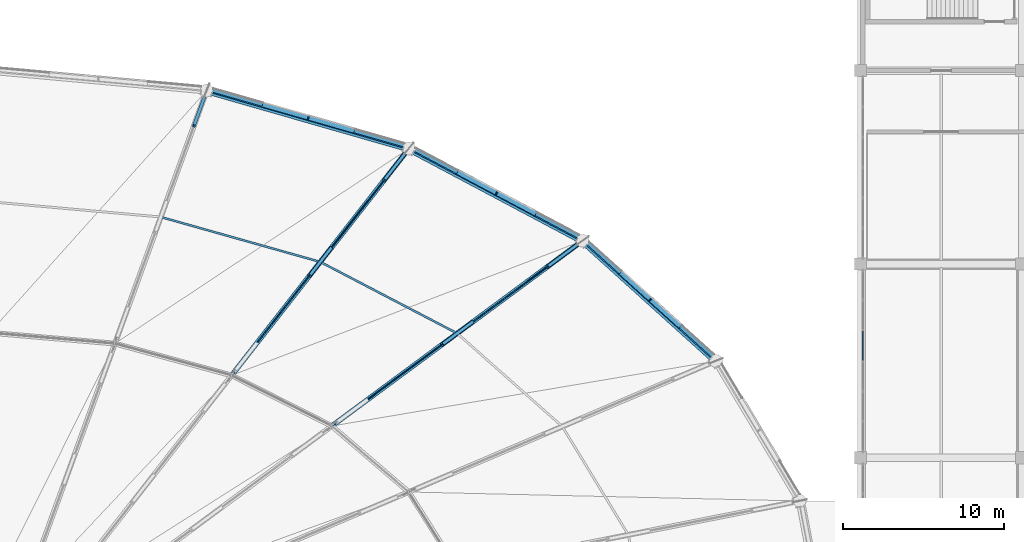
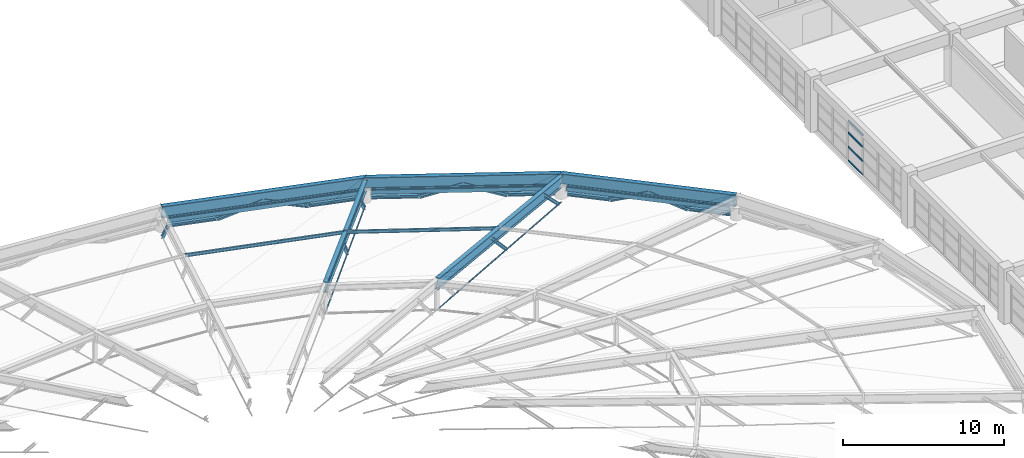
# One storey, part 32 of 83: 20 beams, 13 members, 1 element without a shape of its own.
"""IFC4 building model written with IfcOpenShell, lengths in metres."""

import ifcopenshell
import ifcopenshell.guid

model = None  # the IFC model being written
_history = None  # IfcOwnerHistory: only IFC2X3 demands one
_inside = {}  # id of a spatial element -> (the spatial element, [elements in it])
_under = {}  # id of a project, library or spatial element -> (it, [spatial elements below it])
_declared = {}  # id of a project -> (the project, [libraries it declares])
_typed = {}  # id of a type object -> (the type object, [elements of that type])
_made_of = {}  # id of a material, layer set ... -> (it, [elements and type objects made of it])


def new_model(schema):
    """Start an empty IFC model of exactly this schema.

    Asked for "IFC4X3", IfcOpenShell would pick the latest addendum, in which some entities
    have other attributes; the version numbers below select the first issue.
    IFC2X3 requires an IfcOwnerHistory on every rooted entity: one is made here for all.
    """
    global model, _history
    if schema == "IFC4X3":
        model = ifcopenshell.file(schema_version=(4, 3, 0, 0))
    else:
        model = ifcopenshell.file(schema=schema)
    _inside.clear()
    _under.clear()
    _declared.clear()
    _typed.clear()
    _made_of.clear()
    _history = None
    if model.schema == "IFC2X3":
        org = make("IfcOrganization", Name="unknown")
        user = make(
            "IfcPersonAndOrganization",
            ThePerson=make("IfcPerson", FamilyName="unknown"),
            TheOrganization=org,
        )
        app = make(
            "IfcApplication",
            ApplicationDeveloper=org,
            Version="unknown",
            ApplicationFullName="unknown",
            ApplicationIdentifier="unknown",
        )
        _history = make(
            "IfcOwnerHistory",
            OwningUser=user,
            OwningApplication=app,
            ChangeAction="ADDED",
            CreationDate=0,
        )
    return model


def make(cls, **values):
    """One entity of the class cls with the attributes given. An attribute that is None is left unset."""
    return model.create_entity(
        cls, **{name: value for name, value in values.items() if value is not None}
    )


def rooted(cls, **values):
    """An entity with a GlobalId (a new one), such as an element, a storey or a relation."""
    return make(cls, GlobalId=ifcopenshell.guid.new(), OwnerHistory=_history, **values)


def si_unit(unit_type, name, prefix=None):
    """IfcSIUnit, for example si_unit("LENGTHUNIT", "METRE", prefix="MILLI")."""
    return make("IfcSIUnit", UnitType=unit_type, Prefix=prefix, Name=name)


def assignment(units):
    """IfcUnitAssignment: the units of a project."""
    return None if units is None else make("IfcUnitAssignment", Units=units)


def point(xyz):
    """IfcCartesianPoint."""
    return None if xyz is None else make("IfcCartesianPoint", Coordinates=xyz)


def direction(xyz):
    """IfcDirection."""
    return None if xyz is None else make("IfcDirection", DirectionRatios=xyz)


def frame(location, z_axis=None, x_axis=None):
    """IfcAxis2Placement3D, a coordinate frame: its origin and axes. An axis left out is left unset."""
    return make(
        "IfcAxis2Placement3D",
        Location=point(location),
        Axis=direction(z_axis),
        RefDirection=direction(x_axis),
    )


def frame_2d(location, x_axis=None):
    """IfcAxis2Placement2D, a coordinate frame in the plane: its origin and x axis."""
    return make(
        "IfcAxis2Placement2D", Location=point(location), RefDirection=direction(x_axis)
    )


def origin():
    """The frame at (0, 0, 0) with its axes left unset."""
    return frame((0.0, 0.0, 0.0))


def origin_2d():
    """The frame at (0, 0) in the plane with its x axis left unset."""
    return frame_2d((0.0, 0.0))


def place(relative_to, where):
    """IfcLocalPlacement: puts the frame where relative to a parent placement (None: the world)."""
    return make(
        "IfcLocalPlacement", PlacementRelTo=relative_to, RelativePlacement=where
    )


def context(
    kind, dimensions, precision=None, world=None, true_north=None, identifier=None
):
    """IfcGeometricRepresentationContext, for example the 3D "Model" context."""
    return make(
        "IfcGeometricRepresentationContext",
        ContextIdentifier=identifier,
        ContextType=kind,
        CoordinateSpaceDimension=dimensions,
        Precision=precision,
        WorldCoordinateSystem=world,
        TrueNorth=true_north,
    )


def subcontext(parent, identifier, kind, view, scale=None):
    """IfcGeometricRepresentationSubContext, for example "Body" below "Model"."""
    return make(
        "IfcGeometricRepresentationSubContext",
        ContextIdentifier=identifier,
        ContextType=kind,
        ParentContext=parent,
        TargetScale=scale,
        TargetView=view,
    )


def project(units=None, contexts=None):
    """IfcProject with its units and contexts."""
    return rooted(
        "IfcProject",
        Name="project",
        RepresentationContexts=contexts,
        UnitsInContext=assignment(units),
    )


def spatial(cls, under=None, at=None, **own):
    """A site, building, storey or space (cls), placed at a placement, below another one or the project."""
    s = rooted(cls, ObjectPlacement=at, **own)
    if under is not None:
        _under.setdefault(under.id(), (under, []))[1].append(s)
    return s


def profile(cls, at=None, kind="AREA", **sizes):
    """A parametric profile (cls). Its sizes go by their IFC names, for example OverallWidth=200.0."""
    return make(cls, ProfileType=kind, Position=at, **sizes)


def rectangle(**sizes):
    """IfcRectangleProfileDef."""
    return profile("IfcRectangleProfileDef", **sizes)


def hollow_rectangle(**sizes):
    """IfcRectangleHollowProfileDef."""
    return profile("IfcRectangleHollowProfileDef", **sizes)


def circle(**sizes):
    """IfcCircleProfileDef."""
    return profile("IfcCircleProfileDef", **sizes)


def i_section(**sizes):
    """IfcIShapeProfileDef."""
    return profile("IfcIShapeProfileDef", **sizes)


def extrude(swept, where, along, depth):
    """IfcExtrudedAreaSolid: the profile swept, set in the frame where, extruded along a direction by depth."""
    return make(
        "IfcExtrudedAreaSolid",
        SweptArea=swept,
        Position=where,
        ExtrudedDirection=direction(along),
        Depth=depth,
    )


def shape(context_of_items, identifier, shape_type, items):
    """IfcShapeRepresentation: the items that make up one representation, for example the "Body"."""
    return make(
        "IfcShapeRepresentation",
        ContextOfItems=context_of_items,
        RepresentationIdentifier=identifier,
        RepresentationType=shape_type,
        Items=items,
    )


def material(Name=None, Category=None):
    """IfcMaterial."""
    return make("IfcMaterial", Name=Name, Category=Category)


def layer(
    of_material, thickness, ventilated=None, Name=None, Category=None, Priority=None
):
    """IfcMaterialLayer: one layer of a wall or slab, of a material (None: an air gap)."""
    return make(
        "IfcMaterialLayer",
        Material=of_material,
        LayerThickness=thickness,
        IsVentilated=ventilated,
        Name=Name,
        Category=Category,
        Priority=Priority,
    )


def layer_set(layers, Name=None):
    """IfcMaterialLayerSet."""
    return make("IfcMaterialLayerSet", MaterialLayers=layers, LayerSetName=Name)


def material_profile(
    of_material, cross_section, Name=None, Category=None, Priority=None
):
    """IfcMaterialProfile: a cross section and its material."""
    return make(
        "IfcMaterialProfile",
        Name=Name,
        Material=of_material,
        Profile=cross_section,
        Priority=Priority,
        Category=Category,
    )


def profile_set(profiles, Name=None, composite=None):
    """IfcMaterialProfileSet."""
    return make(
        "IfcMaterialProfileSet",
        Name=Name,
        MaterialProfiles=profiles,
        CompositeProfile=composite,
    )


def made_of(thing, what):
    """Note that an element or type object is made of a material, layer set ...; save() writes the relation."""
    if what is not None:
        _made_of.setdefault(what.id(), (what, []))[1].append(thing)
    return thing


def type_object(cls, material=None, **own):
    """A type object (cls), such as IfcWallType, which elements share."""
    return made_of(rooted(cls, **own), material)


def element(
    cls,
    number,
    at=None,
    inside=None,
    cuts=None,
    type_object=None,
    material=None,
    context=None,
    identifier="Body",
    shape_type=None,
    held_by="IfcProductDefinitionShape",
    body=None,
    shapes=None,
    **own,
):
    """One element of the class cls, such as IfcWall. Its Tag is "e" and its number.

    at: its placement. inside: the storey or other place that contains it. cuts: it is an
    opening in that element (IfcRelVoidsElement). A single representation is given by context,
    identifier, shape_type and body (its items); several are given by shapes. held_by: the class
    of the entity that holds the representations. save() writes the other relations.
    """
    e = rooted(cls, Tag="e%d" % number, ObjectPlacement=at, **own)
    if body is not None:
        shapes = [shape(context, identifier, shape_type, body)]
    if shapes is not None:
        e.Representation = make(held_by, Representations=shapes)
    if inside is not None:
        _inside.setdefault(inside.id(), (inside, []))[1].append(e)
    if cuts is not None:
        rooted(
            "IfcRelVoidsElement", RelatingBuildingElement=cuts, RelatedOpeningElement=e
        )
    if type_object is not None:
        _typed.setdefault(type_object.id(), (type_object, []))[1].append(e)
    return made_of(e, material)


def aggregate(whole, parts):
    """IfcRelAggregates: a whole, such as a stair, and the parts it consists of."""
    return rooted("IfcRelAggregates", RelatingObject=whole, RelatedObjects=parts)


def save(model, path):
    """Write the relations noted so far, then the file.

    IfcRelAggregates (storeys below a building ...), IfcRelContainedInSpatialStructure (elements
    in a storey), IfcRelDefinesByType, IfcRelAssociatesMaterial and IfcRelDeclares: one each for
    every whole, place, type object, material and project.
    """
    for whole, parts in _under.values():
        aggregate(whole, parts)
    for where, things in _inside.values():
        rooted(
            "IfcRelContainedInSpatialStructure",
            RelatedElements=things,
            RelatingStructure=where,
        )
    for kind, things in _typed.values():
        rooted("IfcRelDefinesByType", RelatedObjects=things, RelatingType=kind)
    for what, things in _made_of.values():
        rooted("IfcRelAssociatesMaterial", RelatedObjects=things, RelatingMaterial=what)
    for by, libraries in _declared.values():
        rooted("IfcRelDeclares", RelatingContext=by, RelatedDefinitions=libraries)
    model.write(path)


model = new_model("IFC4")

# Units and contexts
model_context = context("Model", 3, precision=1e-05, world=origin(), true_north=direction((0.0, 1.0)))
body_context = subcontext(model_context, "Body", "Model", "MODEL_VIEW")
ifc_project = project(units=[si_unit("LENGTHUNIT", "METRE"), si_unit("AREAUNIT", "SQUARE_METRE"), si_unit("VOLUMEUNIT", "CUBIC_METRE"), si_unit("PLANEANGLEUNIT", "RADIAN"), si_unit("MASSUNIT", "GRAM", prefix="KILO")], contexts=[model_context])

# Site, building, storey
site_placement = place(None, origin())
site = spatial("IfcSite", under=ifc_project, at=site_placement, CompositionType="ELEMENT")
building_placement = place(site_placement, origin())
building = spatial("IfcBuilding", under=site, at=building_placement, Name="Kivolera Central Railway Station", CompositionType="ELEMENT")
storey_placement = place(building_placement, frame((0.0, 0.0, 14.39990234375)))
storey = spatial("IfcBuildingStorey", under=building, at=storey_placement, Name="L03", CompositionType="ELEMENT", Elevation=14.39990234375)

# Beams
ifc_material_1 = material(Name="Steel S355", Category="steel")
ifc_material_profile_1 = material_profile(ifc_material_1, hollow_rectangle(XDim=0.14990234375, YDim=0.300048828125, WallThickness=0.012451171875, at=origin_2d()), Name="RHS 300x150x12.5")
ifc_profile_set_1 = profile_set([ifc_material_profile_1], Name="Steel S355")
beam_type_1 = type_object("IfcBeamType", Name="BM-ARCH-HOOD", PredefinedType="SPANDREL", material=ifc_profile_set_1)
beam_1_placement = place(storey_placement, frame((108.672119140625, 108.1298828125, 0.735107421875), z_axis=(-0.742399938854, 0.669956961894, 0.0), x_axis=(-0.669956961894, -0.742399938854, 0.0)))
element("IfcBeam", 1, at=beam_1_placement, inside=storey, type_object=beam_type_1, Name="Lantern Spandrel Hood Beam 03", PredefinedType="SPANDREL", context=body_context, shape_type="SweptSolid", body=[
    extrude(hollow_rectangle(XDim=0.14990234375, YDim=0.300048828125, WallThickness=0.012451171875, at=origin_2d()), origin(), (0.0, 0.0, 1.0), 10.42041015625),
])
beam_2_placement = place(storey_placement, frame((100.387939453125, 115.493896484375, 0.735107421875), z_axis=(-0.883122599964, 0.46914227419, 0.0), x_axis=(-0.46914227419, -0.883122599964, 0.0)))
element("IfcBeam", 2, at=beam_2_placement, inside=storey, type_object=beam_type_1, Name="Lantern Spandrel Hood Beam 04", PredefinedType="SPANDREL", context=body_context, shape_type="SweptSolid", body=[
    extrude(hollow_rectangle(XDim=0.14990234375, YDim=0.300048828125, WallThickness=0.012451171875, at=origin_2d()), origin(), (0.0, 0.0, 1.0), 11.485107421875),
])
beam_3_placement = place(storey_placement, frame((89.618896484375, 121.135009765625, 0.735107421875), z_axis=(-0.961253150651, 0.275667155033, 0.0), x_axis=(-0.275667155033, -0.961253150651, 0.0)))
element("IfcBeam", 3, at=beam_3_placement, inside=storey, type_object=beam_type_1, Name="Lantern Spandrel Hood Beam 05", PredefinedType="SPANDREL", context=body_context, shape_type="SweptSolid", body=[
    extrude(hollow_rectangle(XDim=0.14990234375, YDim=0.300048828125, WallThickness=0.012451171875, at=origin_2d()), origin(), (0.0, 0.0, 1.0), 12.3369140625),
])
ifc_material_profile_2 = material_profile(ifc_material_1, i_section(OverallWidth=0.300048828125, OverallDepth=0.699951171875, WebThickness=0.01708984375, FlangeThickness=0.031982421875, FilletRadius=0.027099609375, at=origin_2d()), Name="HEB 700")
ifc_profile_set_2 = profile_set([ifc_material_profile_2], Name="Steel S355")
beam_type_2 = type_object("IfcBeamType", Name="BM-DRB-HEB700", PredefinedType="BEAM", material=ifc_profile_set_2)
beam_4_placement = place(storey_placement, frame((90.0, 121.177001953125, 1.18017578125), z_axis=(-0.596376430402, -0.762982212751, 0.249385838184), x_axis=(0.787875774428, -0.61583420177, 0.0)))
element("IfcBeam", 4, at=beam_4_placement, inside=storey, type_object=beam_type_2, Name="Oval Dome Radial Arch Rib Outer Segment DRB1-05", PredefinedType="BEAM", context=body_context, shape_type="SweptSolid", body=[
    extrude(i_section(OverallWidth=0.300048828125, OverallDepth=0.699951171875, WebThickness=0.01708984375, FlangeThickness=0.031982421875, FilletRadius=0.027099609375, at=origin_2d()), origin(), (0.0, 0.0, 1.0), 18.44482421875),
])
ifc_material_profile_3 = material_profile(ifc_material_1, i_section(OverallWidth=0.300048828125, OverallDepth=0.800048828125, WebThickness=0.017578125, FlangeThickness=0.032958984375, FilletRadius=0.030029296875, at=origin_2d()), Name="HEB 800")
ifc_profile_set_3 = profile_set([ifc_material_profile_3], Name="Steel S355")
beam_type_3 = type_object("IfcBeamType", Name="BM-DRB-HEB800", PredefinedType="BEAM", material=ifc_profile_set_3)
beam_5_placement = place(storey_placement, frame((100.77001953125, 115.4560546875, 1.18017578125), z_axis=(-0.782541033898, -0.578008518918, 0.231377791338), x_axis=(0.594130867833, -0.804368393143, 0.0)))
element("IfcBeam", 5, at=beam_5_placement, inside=storey, type_object=beam_type_3, Name="Oval Dome Radial Arch Rib Outer Segment DRB1-04", PredefinedType="BEAM", context=body_context, shape_type="SweptSolid", body=[
    extrude(i_section(OverallWidth=0.300048828125, OverallDepth=0.800048828125, WebThickness=0.017578125, FlangeThickness=0.032958984375, FilletRadius=0.030029296875, at=origin_2d()), origin(), (0.0, 0.0, 1.0), 19.88037109375),
])
ifc_material_profile_4 = material_profile(ifc_material_1, i_section(OverallWidth=0.300048828125, OverallDepth=0.300048828125, WebThickness=0.010986328125, FlangeThickness=0.01904296875, FilletRadius=0.027099609375, at=origin_2d()), Name="HEB 300")
ifc_profile_set_4 = profile_set([ifc_material_profile_4], Name="Steel S355")
beam_type_4 = type_object("IfcBeamType", Name="BM-LANT-ARCH", PredefinedType="SPANDREL", material=ifc_profile_set_4)
for number, where, z_axis, x_axis, name in (
    (6, (106.839111328125, 110.14208984375, 0.16015625), (-0.698764882595, 0.630146850874, 0.338589109668), (-0.669703326013, -0.742628746499, 0.0), "Oval Lantern Structural Arch Rib 03.3"),
    (7, (104.98193359375, 111.81689453125, 1.06005859375), (-0.698677422423, 0.630242676209, -0.338591241001), (-0.669805712586, -0.742536401389, 0.0), "Oval Lantern Structural Arch Rib 03.4"),
):
    element("IfcBeam", number, at=place(storey_placement, frame(where, z_axis=z_axis, x_axis=x_axis)), inside=storey, type_object=beam_type_4, Name=name, PredefinedType="SPANDREL", context=body_context, shape_type="SweptSolid", body=[
        extrude(i_section(OverallWidth=0.300048828125, OverallDepth=0.300048828125, WebThickness=0.010986328125, FlangeThickness=0.01904296875, FilletRadius=0.027099609375, at=origin_2d()), origin(), (0.0, 0.0, 1.0), 2.65771484375),
    ])
beam_6_placement = place(storey_placement, frame((97.8759765625, 117.12890625, 0.16015625), z_axis=(-0.839588818924, 0.44588951011, 0.310279164483), x_axis=(-0.469038686522, -0.883177621176, 0.0)))
element("IfcBeam", 8, at=beam_6_placement, inside=storey, type_object=beam_type_4, Name="Oval Lantern Structural Arch Rib 04.3", PredefinedType="SPANDREL", context=body_context, shape_type="SweptSolid", body=[
    extrude(i_section(OverallWidth=0.300048828125, OverallDepth=0.300048828125, WebThickness=0.010986328125, FlangeThickness=0.01904296875, FilletRadius=0.027099609375, at=origin_2d()), origin(), (0.0, 0.0, 1.0), 2.900390625),
])
beam_7_placement = place(storey_placement, frame((95.44091796875, 118.422119140625, 1.06005859375), z_axis=(-0.839369949803, 0.44624944668, -0.310353860465), x_axis=(-0.469429350258, -0.882970036364, 0.0)))
element("IfcBeam", 9, at=beam_7_placement, inside=storey, type_object=beam_type_4, Name="Oval Lantern Structural Arch Rib 04.4", PredefinedType="SPANDREL", context=body_context, shape_type="SweptSolid", body=[
    extrude(i_section(OverallWidth=0.300048828125, OverallDepth=0.300048828125, WebThickness=0.010986328125, FlangeThickness=0.01904296875, FilletRadius=0.027099609375, at=origin_2d()), origin(), (0.0, 0.0, 1.0), 2.899658203125),
])
beam_8_placement = place(storey_placement, frame((86.60888671875, 122.27392578125, 0.16015625), z_axis=(-0.919706547271, 0.263753880718, 0.290815675838), x_axis=(-0.275668522884, -0.961252758379, 0.0)))
element("IfcBeam", 10, at=beam_8_placement, inside=storey, type_object=beam_type_4, Name="Oval Lantern Structural Arch Rib 05.3", PredefinedType="SPANDREL", context=body_context, shape_type="SweptSolid", body=[
    extrude(i_section(OverallWidth=0.300048828125, OverallDepth=0.300048828125, WebThickness=0.010986328125, FlangeThickness=0.01904296875, FilletRadius=0.027099609375, at=origin_2d()), origin(), (0.0, 0.0, 1.0), 3.094482421875),
])
beam_9_placement = place(storey_placement, frame((83.762939453125, 123.090087890625, 1.06005859375), z_axis=(-0.919725683626, 0.263680469647, -0.290821726846), x_axis=(-0.275592325369, -0.96127460707, 0.0)))
element("IfcBeam", 11, at=beam_9_placement, inside=storey, type_object=beam_type_4, Name="Oval Lantern Structural Arch Rib 05.4", PredefinedType="SPANDREL", context=body_context, shape_type="SweptSolid", body=[
    extrude(i_section(OverallWidth=0.300048828125, OverallDepth=0.300048828125, WebThickness=0.010986328125, FlangeThickness=0.01904296875, FilletRadius=0.027099609375, at=origin_2d()), origin(), (0.0, 0.0, 1.0), 3.09423828125),
])
ifc_material_profile_5 = material_profile(ifc_material_1, i_section(OverallWidth=0.239990234375, OverallDepth=0.22998046875, WebThickness=0.007568359375, FlangeThickness=0.011962890625, FilletRadius=0.02099609375, at=origin_2d()), Name="HEA 240")
ifc_profile_set_5 = profile_set([ifc_material_profile_5], Name="Steel S355")
beam_type_5 = type_object("IfcBeamType", Name="BM-LANT-HTIE", PredefinedType="SPANDREL", material=ifc_profile_set_5)
for number, where, z_axis, x_axis, name in (
    (12, (108.85009765625, 108.326904296875, 0.16015625), (-0.742320957903, 0.670044472746, 0.0), (-0.670044472746, -0.742320957903, 0.0), "Lantern Arch Spandrel Haunch Tie 03L"),
    (13, (103.125, 113.491943359375, 0.16015625), (-0.742365783712, 0.669994808318, 0.0), (-0.669994808318, -0.742365783712, 0.0), "Lantern Arch Spandrel Haunch Tie 03R"),
):
    element("IfcBeam", number, at=place(storey_placement, frame(where, z_axis=z_axis, x_axis=x_axis)), inside=storey, type_object=beam_type_5, Name=name, PredefinedType="SPANDREL", context=body_context, shape_type="SweptSolid", body=[
        extrude(i_section(OverallWidth=0.239990234375, OverallDepth=0.22998046875, WebThickness=0.007568359375, FlangeThickness=0.011962890625, FilletRadius=0.02099609375, at=origin_2d()), origin(), (0.0, 0.0, 1.0), 2.708984375),
    ])
for number, where, z_axis, x_axis, name in (
    (14, (100.512939453125, 115.72900390625, 0.16015625), (-0.883252264421, 0.468898109822, 0.0), (-0.468898109822, -0.883252264421, 0.0), "Lantern Arch Spandrel Haunch Tie 04L"),
    (15, (93.007080078125, 119.716064453125, 0.16015625), (-0.883252264421, 0.468898109822, 0.0), (-0.468898109822, -0.883252264421, 0.0), "Lantern Arch Spandrel Haunch Tie 04R"),
):
    element("IfcBeam", number, at=place(storey_placement, frame(where, z_axis=z_axis, x_axis=x_axis)), inside=storey, type_object=beam_type_5, Name=name, PredefinedType="SPANDREL", context=body_context, shape_type="SweptSolid", body=[
        extrude(i_section(OverallWidth=0.239990234375, OverallDepth=0.22998046875, WebThickness=0.007568359375, FlangeThickness=0.011962890625, FilletRadius=0.02099609375, at=origin_2d()), origin(), (0.0, 0.0, 1.0), 2.985595703125),
    ])
beam_10_placement = place(storey_placement, frame((89.69189453125, 121.389892578125, 0.16015625), z_axis=(-0.961262114071, 0.275635897612, 0.0), x_axis=(-0.275635897612, -0.961262114071, 0.0)))
element("IfcBeam", 16, at=beam_10_placement, inside=storey, type_object=beam_type_5, Name="Lantern Arch Spandrel Haunch Tie 05L", PredefinedType="SPANDREL", context=body_context, shape_type="SweptSolid", body=[
    extrude(i_section(OverallWidth=0.239990234375, OverallDepth=0.22998046875, WebThickness=0.007568359375, FlangeThickness=0.011962890625, FilletRadius=0.02099609375, at=origin_2d()), origin(), (0.0, 0.0, 1.0), 3.207275390625),
])
beam_11_placement = place(storey_placement, frame((80.9169921875, 123.906005859375, 0.16015625), z_axis=(-0.961204572077, 0.275836492541, 0.0), x_axis=(-0.275836492541, -0.961204572077, 0.0)))
element("IfcBeam", 17, at=beam_11_placement, inside=storey, type_object=beam_type_5, Name="Lantern Arch Spandrel Haunch Tie 05R", PredefinedType="SPANDREL", context=body_context, shape_type="SweptSolid", body=[
    extrude(i_section(OverallWidth=0.239990234375, OverallDepth=0.22998046875, WebThickness=0.007568359375, FlangeThickness=0.011962890625, FilletRadius=0.02099609375, at=origin_2d()), origin(), (0.0, 0.0, 1.0), 3.20849609375),
])
ifc_material_profile_6 = material_profile(ifc_material_1, i_section(OverallWidth=0.300048828125, OverallDepth=0.89990234375, WebThickness=0.0185546875, FlangeThickness=0.034912109375, FilletRadius=0.030029296875, at=origin_2d()), Name="HEB 900")
ifc_profile_set_6 = profile_set([ifc_material_profile_6], Name="Steel S355")
beam_type_6 = type_object("IfcBeamType", Name="BM-ORB-HEB900", PredefinedType="BEAM", material=ifc_profile_set_6)
beam_12_placement = place(storey_placement, frame((109.032958984375, 108.0, 1.35009765625), z_axis=(-0.74242638035, 0.669927660095, 0.0), x_axis=(-0.669927660095, -0.74242638035, 0.0)))
element("IfcBeam", 18, at=beam_12_placement, inside=storey, type_object=beam_type_6, Name="Oval Dome Compression Ring Beam ORB-03", PredefinedType="BEAM", context=body_context, shape_type="SweptSolid", body=[
    extrude(i_section(OverallWidth=0.300048828125, OverallDepth=0.89990234375, WebThickness=0.0185546875, FlangeThickness=0.034912109375, FilletRadius=0.030029296875, at=origin_2d()), origin(), (0.0, 0.0, 1.0), 11.129638671875),
])
beam_13_placement = place(storey_placement, frame((100.77001953125, 115.4560546875, 1.35009765625), z_axis=(-0.883136972992, 0.469115217122, 0.0), x_axis=(-0.469115217122, -0.883136972992, 0.0)))
element("IfcBeam", 19, at=beam_13_placement, inside=storey, type_object=beam_type_6, Name="Oval Dome Compression Ring Beam ORB-04", PredefinedType="BEAM", context=body_context, shape_type="SweptSolid", body=[
    extrude(i_section(OverallWidth=0.300048828125, OverallDepth=0.89990234375, WebThickness=0.0185546875, FlangeThickness=0.034912109375, FilletRadius=0.030029296875, at=origin_2d()), origin(), (0.0, 0.0, 1.0), 12.195068359375),
])
beam_14_placement = place(storey_placement, frame((90.0, 121.177001953125, 1.35009765625), z_axis=(-0.961264358362, 0.275628070673, 0.0), x_axis=(-0.275628070673, -0.961264358362, 0.0)))
element("IfcBeam", 20, at=beam_14_placement, inside=storey, type_object=beam_type_6, Name="Oval Dome Compression Ring Beam ORB-05", PredefinedType="BEAM", context=body_context, shape_type="SweptSolid", body=[
    extrude(i_section(OverallWidth=0.300048828125, OverallDepth=0.89990234375, WebThickness=0.0185546875, FlangeThickness=0.034912109375, FilletRadius=0.030029296875, at=origin_2d()), origin(), (0.0, 0.0, 1.0), 13.04638671875),
])

# Curtain wall, members
ifc_material_2 = material(Name="Anodised aluminium", Category="aluminium")
ifc_layer = layer(ifc_material_2, 0.179931640625, Name="Anodised aluminium")
ifc_layer_set = layer_set([ifc_layer], Name="Anodised aluminium")
curtain_wall_type = type_object("IfcCurtainWallType", Name="CW-SYS-30", PredefinedType="NOTDEFINED", material=ifc_layer_set)
curtain_wall_placement = place(storey_placement, origin())
curtain_wall = element("IfcCurtainWall", 21, at=curtain_wall_placement, inside=storey, type_object=curtain_wall_type, Name="L03 Curtain Wall CW-L03-WEST-J", PredefinedType="NOTDEFINED")
ifc_material_profile_7 = material_profile(ifc_material_2, rectangle(XDim=0.070068359375, YDim=0.139892578125, at=origin_2d()), Name="ALU TRAN 70x140")
ifc_profile_set_7 = profile_set([ifc_material_profile_7], Name="Anodised aluminium")
member_type_1 = type_object("IfcMemberType", Name="CWM-TRN-1", PredefinedType="USERDEFINED", material=ifc_profile_set_7)
member_1_placement = place(storey_placement, frame((118.14501953125, 108.034912109375, 0.03515625), z_axis=(0.0, 1.0, 0.0), x_axis=(-1.0, 0.0, 0.0)))
member_1 = element("IfcMember", 22, at=member_1_placement, type_object=member_type_1, Name="CW-30 transom 4.1", ObjectType="TRANSOM", PredefinedType="USERDEFINED", context=body_context, shape_type="SweptSolid", body=[
    extrude(rectangle(XDim=0.070068359375, YDim=0.139892578125, at=origin_2d()), origin(), (0.0, 0.0, 1.0), 1.806640625),
])
member_2_placement = place(storey_placement, frame((118.14501953125, 108.034912109375, 1.077392578125), z_axis=(0.0, 1.0, 0.0), x_axis=(-1.0, 0.0, 0.0)))
member_2 = element("IfcMember", 23, at=member_2_placement, type_object=member_type_1, Name="CW-30 transom 4.2", ObjectType="TRANSOM", PredefinedType="USERDEFINED", context=body_context, shape_type="SweptSolid", body=[
    extrude(rectangle(XDim=0.070068359375, YDim=0.139892578125, at=origin_2d()), origin(), (0.0, 0.0, 1.0), 1.806640625),
])
member_3_placement = place(storey_placement, frame((118.14501953125, 108.034912109375, 2.15478515625), z_axis=(0.0, 1.0, 0.0), x_axis=(-1.0, 0.0, 0.0)))
member_3 = element("IfcMember", 24, at=member_3_placement, type_object=member_type_1, Name="CW-30 transom 4.3", ObjectType="TRANSOM", PredefinedType="USERDEFINED", context=body_context, shape_type="SweptSolid", body=[
    extrude(rectangle(XDim=0.070068359375, YDim=0.139892578125, at=origin_2d()), origin(), (0.0, 0.0, 1.0), 1.806640625),
])
member_4_placement = place(storey_placement, frame((118.14501953125, 108.034912109375, 3.043212890625), z_axis=(0.0, 1.0, 0.0), x_axis=(-1.0, 0.0, 0.0)))
member_4 = element("IfcMember", 25, at=member_4_placement, type_object=member_type_1, Name="CW-30 transom 4.4", ObjectType="TRANSOM", PredefinedType="USERDEFINED", context=body_context, shape_type="SweptSolid", body=[
    extrude(rectangle(XDim=0.070068359375, YDim=0.139892578125, at=origin_2d()), origin(), (0.0, 0.0, 1.0), 1.806640625),
])
aggregate(curtain_wall, [member_1, member_2, member_3, member_4])

# Members
ifc_material_3 = material(Name="Spiral strand steel S460", Category="steel")
ifc_material_profile_8 = material_profile(ifc_material_3, circle(Radius=0.031982421875, at=origin_2d()), Name="CABLE D64")
ifc_profile_set_8 = profile_set([ifc_material_profile_8], Name="Spiral strand steel S460")
member_type_2 = type_object("IfcMemberType", Name="MEM-CABLE-D64", PredefinedType="USERDEFINED", material=ifc_profile_set_8)
member_5_placement = place(storey_placement, frame((100.77001953125, 115.4560546875, -0.449951171875), z_axis=(-0.785794449216, -0.580411590051, 0.213657365229), x_axis=(0.594130867833, -0.804368393143, 0.0)))
element("IfcMember", 26, at=member_5_placement, inside=storey, type_object=member_type_2, Name="Dome Radial Spiral-Strand Tension Cable RC1-04", ObjectType="TENSION_CABLE", PredefinedType="USERDEFINED", context=body_context, shape_type="SweptSolid", body=[
    extrude(circle(Radius=0.031982421875, at=origin_2d()), origin(), (0.0, 0.0, 1.0), 19.7978515625),
])
member_6_placement = place(storey_placement, frame((90.0, 121.177001953125, -0.449951171875), z_axis=(-0.599259744519, -0.766671019472, 0.23044154682), x_axis=(0.787875774428, -0.61583420177, 0.0)))
element("IfcMember", 27, at=member_6_placement, inside=storey, type_object=member_type_2, Name="Dome Radial Spiral-Strand Tension Cable RC1-05", ObjectType="TENSION_CABLE", PredefinedType="USERDEFINED", context=body_context, shape_type="SweptSolid", body=[
    extrude(circle(Radius=0.031982421875, at=origin_2d()), origin(), (0.0, 0.0, 1.0), 18.35595703125),
])
ifc_material_profile_9 = material_profile(ifc_material_1, i_section(OverallWidth=0.1201171875, OverallDepth=0.239990234375, WebThickness=0.006103515625, FlangeThickness=0.009765625, FilletRadius=0.014892578125, at=origin_2d()), Name="IPE 240")
ifc_profile_set_9 = profile_set([ifc_material_profile_9], Name="Steel S355")
member_type_3 = type_object("IfcMemberType", Name="MEM-PUR-IPE240", PredefinedType="PURLIN", material=ifc_profile_set_9)
member_7_placement = place(storey_placement, frame((92.991943359375, 109.7099609375, 3.775146484375), z_axis=(-0.886560303413, 0.462613043928, 0.0), x_axis=(-0.462613043928, -0.886560303413, 0.0)))
element("IfcMember", 28, at=member_7_placement, inside=storey, type_object=member_type_3, Name="Dome Outer Hoop Purlin DPUR1-04", PredefinedType="PURLIN", context=body_context, shape_type="SweptSolid", body=[
    extrude(i_section(OverallWidth=0.1201171875, OverallDepth=0.239990234375, WebThickness=0.006103515625, FlangeThickness=0.009765625, FilletRadius=0.014892578125, at=origin_2d()), origin(), (0.0, 0.0, 1.0), 9.57861328125),
])
member_8_placement = place(storey_placement, frame((84.5, 114.14111328125, 3.775146484375), z_axis=(-0.962575989737, 0.271011925902, 0.0), x_axis=(-0.271011925902, -0.962575989737, 0.0)))
element("IfcMember", 29, at=member_8_placement, inside=storey, type_object=member_type_3, Name="Dome Outer Hoop Purlin DPUR1-05", PredefinedType="PURLIN", context=body_context, shape_type="SweptSolid", body=[
    extrude(i_section(OverallWidth=0.1201171875, OverallDepth=0.239990234375, WebThickness=0.006103515625, FlangeThickness=0.009765625, FilletRadius=0.014892578125, at=origin_2d()), origin(), (0.0, 0.0, 1.0), 10.2724609375),
])
ifc_material_profile_10 = material_profile(ifc_material_1, i_section(OverallWidth=0.199951171875, OverallDepth=0.199951171875, WebThickness=0.009033203125, FlangeThickness=0.014892578125, FilletRadius=0.01806640625, at=origin_2d()), Name="HEB 200")
ifc_profile_set_10 = profile_set([ifc_material_profile_10], Name="Steel S355")
member_type_4 = type_object("IfcMemberType", Name="MEM-RAF-HEB200", PredefinedType="RAFTER", material=ifc_profile_set_10)
member_9_placement = place(storey_placement, frame((100.458984375, 115.22607421875, -0.364990234375), z_axis=(-0.585131720573, -0.432249129007, 0.686135234521), x_axis=(0.594178102773, -0.804333501842, 0.0)))
element("IfcMember", 30, at=member_9_placement, inside=storey, type_object=member_type_4, Name="Dome Radial Truss Raking Web DWEB1-04.1", PredefinedType="RAFTER", context=body_context, shape_type="SweptSolid", body=[
    extrude(i_section(OverallWidth=0.199951171875, OverallDepth=0.199951171875, WebThickness=0.009033203125, FlangeThickness=0.014892578125, FilletRadius=0.01806640625, at=origin_2d()), origin(), (0.0, 0.0, 1.0), 3.190673828125),
])
member_10_placement = place(storey_placement, frame((93.925048828125, 110.39990234375, 1.4111328125), z_axis=(-0.56585090259, -0.417931986116, 0.710735964349), x_axis=(0.594110048077, -0.80438377083, 0.0)))
element("IfcMember", 31, at=member_10_placement, inside=storey, type_object=member_type_4, Name="Dome Radial Truss Raking Web DWEB1-04.2", PredefinedType="RAFTER", context=body_context, shape_type="SweptSolid", body=[
    extrude(i_section(OverallWidth=0.199951171875, OverallDepth=0.199951171875, WebThickness=0.009033203125, FlangeThickness=0.014892578125, FilletRadius=0.01806640625, at=origin_2d()), origin(), (0.0, 0.0, 1.0), 3.29931640625),
])
member_11_placement = place(storey_placement, frame((89.780029296875, 120.89599609375, -0.364990234375), z_axis=(-0.43083807308, -0.551236876192, 0.71450434646), x_axis=(0.787896583564, -0.615807578394, 0.0)))
element("IfcMember", 32, at=member_11_placement, inside=storey, type_object=member_type_4, Name="Dome Radial Truss Raking Web DWEB1-05.1", PredefinedType="RAFTER", context=body_context, shape_type="SweptSolid", body=[
    extrude(i_section(OverallWidth=0.199951171875, OverallDepth=0.199951171875, WebThickness=0.009033203125, FlangeThickness=0.014892578125, FilletRadius=0.01806640625, at=origin_2d()), origin(), (0.0, 0.0, 1.0), 3.06396484375),
])
member_12_placement = place(storey_placement, frame((85.159912109375, 114.985107421875, 1.4111328125), z_axis=(-0.415412014592, -0.531675125594, 0.7380748058), x_axis=(0.787995020105, -0.61568161276, 0.0)))
element("IfcMember", 33, at=member_12_placement, inside=storey, type_object=member_type_4, Name="Dome Radial Truss Raking Web DWEB1-05.2", PredefinedType="RAFTER", context=body_context, shape_type="SweptSolid", body=[
    extrude(i_section(OverallWidth=0.199951171875, OverallDepth=0.199951171875, WebThickness=0.009033203125, FlangeThickness=0.014892578125, FilletRadius=0.01806640625, at=origin_2d()), origin(), (0.0, 0.0, 1.0), 3.17724609375),
])
member_13_placement = place(storey_placement, frame((77.344970703125, 124.458984375, -0.364990234375), z_axis=(-0.230129257585, -0.63460384832, 0.737779425371), x_axis=(0.940095542552, -0.340911089397, 0.0)))
element("IfcMember", 34, at=member_13_placement, inside=storey, type_object=member_type_4, Name="Dome Radial Truss Raking Web DWEB1-06.1", PredefinedType="RAFTER", context=body_context, shape_type="SweptSolid", body=[
    extrude(i_section(OverallWidth=0.199951171875, OverallDepth=0.199951171875, WebThickness=0.009033203125, FlangeThickness=0.014892578125, FilletRadius=0.01806640625, at=origin_2d()), origin(), (0.0, 0.0, 1.0), 2.96728515625),
])

save(model, "model.ifc")
